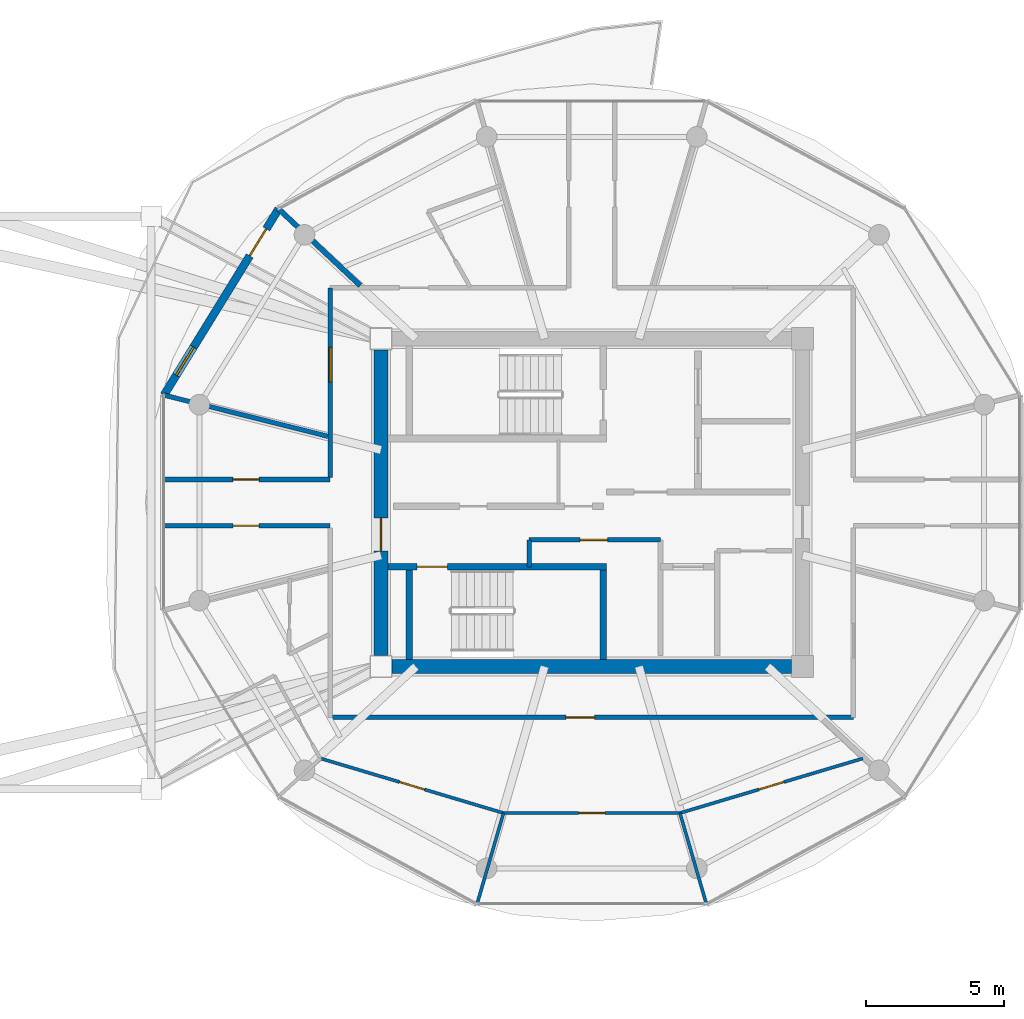
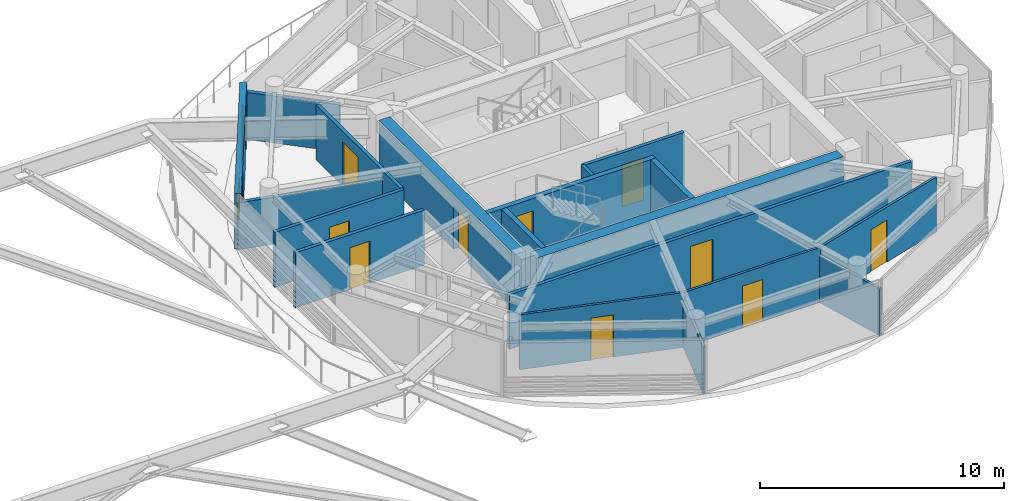
# One storey, part 16 of 23: 19 walls, 11 doors, 1 window, 12 openings.
"""IFC4 building model written with IfcOpenShell, lengths in metres."""

from ifc_helpers import new_model, si_unit, direction, frame, frame_2d, origin, place, context, subcontext, project, spatial, rectangle, extrude, source, transform, mapped, material, layer, layer_set, type_object, type_shapes, element, fill, save


model = new_model("IFC4")

# Units and contexts
model_context = context("Model", 3, precision=1e-05, world=origin(), true_north=direction((0.0, 1.0)))
body_context = subcontext(model_context, "Body", "Model", "MODEL_VIEW")
ifc_project = project(units=[si_unit("LENGTHUNIT", "METRE"), si_unit("AREAUNIT", "SQUARE_METRE"), si_unit("VOLUMEUNIT", "CUBIC_METRE"), si_unit("PLANEANGLEUNIT", "RADIAN"), si_unit("MASSUNIT", "GRAM", prefix="KILO")], contexts=[model_context])

# Site, building, storey
site_placement = place(None, origin())
site = spatial("IfcSite", under=ifc_project, at=site_placement, CompositionType="ELEMENT")
building_placement = place(site_placement, origin())
building = spatial("IfcBuilding", under=site, at=building_placement, Name="Norrkilde Senior Care Towers", CompositionType="ELEMENT")
storey_placement = place(building_placement, frame((0.0, 0.0, 196.75)))
storey = spatial("IfcBuildingStorey", under=building, at=storey_placement, Name="L61", CompositionType="ELEMENT", Elevation=196.75)

# Wall
ifc_material_1 = material(Name="Concrete C50/60", Category="concrete")
ifc_layer_1 = layer(ifc_material_1, 0.52001953125)
ifc_layer_set_1 = layer_set([ifc_layer_1], Name="Concrete C50/60")
wall_type_1 = type_object("IfcWallType", Name="Core Shear Wall Z4 520", PredefinedType="SHEAR", material=ifc_layer_set_1)
shared_shape_1 = source(origin(), body_context, "Body", "SweptSolid", [
    extrude(rectangle(XDim=14.5, YDim=0.52001953125, at=frame_2d((7.25, 0.0))), origin(), (0.0, 0.0, 1.0), 2.760009765625),
])
wall_1_placement = place(storey_placement, frame((35.25, -5.949951171875, 0.0), z_axis=(0.0, 0.0, 1.0), x_axis=(-1.0, 0.0, 0.0)))
element("IfcWall", 1, at=wall_1_placement, inside=storey, type_object=wall_type_1, Name="L61 Core E South Shear Wall", PredefinedType="SHEAR", context=body_context, shape_type="MappedRepresentation", body=[
    mapped(shared_shape_1, transform((0.0, 0.0, 0.0), x_axis=(1.0, 0.0, 0.0), y_axis=(0.0, 1.0, 0.0), z_axis=(0.0, 0.0, 1.0), scale=1.0)),
])

# Wall, opening, door
shared_shape_2 = source(origin(), body_context, "Body", "SweptSolid", [
    extrude(rectangle(XDim=11.10009765625, YDim=0.52001953125, at=frame_2d((5.550048828125, 0.0))), origin(), (0.0, 0.0, 1.0), 2.760009765625),
])
type_shapes(wall_type_1, [shared_shape_1, shared_shape_2])
wall_2_placement = place(storey_placement, frame((20.35009765625, -5.550048828125, 0.0), z_axis=(0.0, 0.0, 1.0), x_axis=(0.0, 1.0, 0.0)))
wall_2 = element("IfcWall", 2, at=wall_2_placement, inside=storey, type_object=wall_type_1, Name="L61 Core E West Shear Wall", PredefinedType="SHEAR", context=body_context, shape_type="MappedRepresentation", body=[
    mapped(shared_shape_2, transform((0.0, 0.0, 0.0), x_axis=(1.0, 0.0, 0.0), y_axis=(0.0, 1.0, 0.0), z_axis=(0.0, 0.0, 1.0), scale=1.0)),
])
opening_1_placement = place(wall_2_placement, frame((3.800048828125, 0.0, 0.0)))
opening_1 = element("IfcOpeningElement", 3, at=opening_1_placement, cuts=wall_2, Name="Opening D-04", PredefinedType="OPENING", context=body_context, shape_type="SweptSolid", body=[
    extrude(rectangle(XDim=1.199951171875, YDim=2.14990234375, at=frame_2d((0.60009765625, 1.074951171875))), frame((0.0, 0.27001953125, 0.0), z_axis=(0.0, -1.0, 0.0), x_axis=(1.0, 0.0, 0.0)), (0.0, 0.0, 1.0), 0.5400390625),
])
ifc_material_2 = material(Name="Galvanised Painted Steel", Category="steel")
door_type_1 = type_object("IfcDoorType", Name="Firefighting Lobby Fire Door 1200x2150", OperationType="NOTDEFINED", PredefinedType="DOOR", material=ifc_material_2)
shared_shape_3 = source(origin(), body_context, "Body", "SweptSolid", [
    extrude(rectangle(XDim=1.199951171875, YDim=2.14990234375, at=frame_2d((0.60009765625, 1.074951171875))), frame((0.0, 0.02490234375, 0.0), z_axis=(0.0, -1.0, 0.0), x_axis=(1.0, 0.0, 0.0)), (0.0, 0.0, 1.0), 0.050048828125),
])
type_shapes(door_type_1, [shared_shape_3])
door_1_placement = place(opening_1_placement, frame((1.199951171875, 0.0, 0.0), z_axis=(0.0, 0.0, 1.0), x_axis=(-1.0, 0.0, 0.0)))
door_1 = element("IfcDoor", 4, at=door_1_placement, inside=storey, type_object=door_type_1, Name="L61 Core E West Portal Door", OperationType="SINGLE_SWING_LEFT", OverallHeight=2.14990234375, OverallWidth=1.199951171875, PredefinedType="DOOR", context=body_context, shape_type="MappedRepresentation", body=[
    mapped(shared_shape_3, transform((0.0, 0.0, 0.0), x_axis=(1.0, 0.0, 0.0), y_axis=(0.0, 1.0, 0.0), z_axis=(0.0, 0.0, 1.0), scale=1.0)),
])
fill(opening_1, door_1)

# Wall, openings, door, window
ifc_material_3 = material(Name="Precast concrete C45/55", Category="concrete")
ifc_layer_2 = layer(ifc_material_3, 0.2900390625)
ifc_layer_set_2 = layer_set([ifc_layer_2], Name="Precast concrete C45/55")
wall_type_2 = type_object("IfcWallType", Name="Winter Garden Facade Wall 290", PredefinedType="SOLIDWALL", material=ifc_layer_set_2)
shared_shape_4 = source(origin(), body_context, "Body", "SweptSolid", [
    extrude(rectangle(XDim=7.938232421875, YDim=0.2900390625, at=frame_2d((3.96923828125, 0.0))), origin(), (0.0, 0.0, 1.0), 2.760009765625),
])
type_shapes(wall_type_2, [shared_shape_4])
wall_3_placement = place(storey_placement, frame((12.468017578125, 3.903076171875, 0.0), z_axis=(0.0, 0.0, 1.0), x_axis=(0.524244987663, 0.851567491694, 0.0)))
wall_3 = element("IfcWall", 5, at=wall_3_placement, inside=storey, type_object=wall_type_2, Name="L61 Drum E Balcony Access Wall 04", PredefinedType="SOLIDWALL", context=body_context, shape_type="MappedRepresentation", body=[
    mapped(shared_shape_4, transform((0.0, 0.0, 0.0), x_axis=(1.0, 0.0, 0.0), y_axis=(0.0, 1.0, 0.0), z_axis=(0.0, 0.0, 1.0), scale=1.0)),
])
opening_2_placement = place(wall_3_placement, frame((5.93994140625, 0.0, 0.0)))
opening_2 = element("IfcOpeningElement", 6, at=opening_2_placement, cuts=wall_3, Name="Opening D-09", PredefinedType="OPENING", context=body_context, shape_type="SweptSolid", body=[
    extrude(rectangle(XDim=1.14990234375, YDim=2.25, at=frame_2d((0.574951171875, 1.125))), frame((0.0, 0.155029296875, 0.0), z_axis=(0.0, -1.0, 0.0), x_axis=(1.0, 0.0, 0.0)), (0.0, 0.0, 1.0), 0.31005859375),
])
opening_3_placement = place(wall_3_placement, frame((0.85009765625, 0.0, 0.85009765625)))
opening_3 = element("IfcOpeningElement", 7, at=opening_3_placement, cuts=wall_3, Name="Opening WN-07", PredefinedType="OPENING", context=body_context, shape_type="SweptSolid", body=[
    extrude(rectangle(XDim=1.199951171875, YDim=1.5, at=frame_2d((0.60009765625, 0.75))), frame((0.0, 0.155029296875, 0.0), z_axis=(0.0, -1.0, 0.0), x_axis=(1.0, 0.0, 0.0)), (0.0, 0.0, 1.0), 0.31005859375),
])
ifc_material_4 = material(Name="Anodised Aluminium", Category="aluminium")
door_type_2 = type_object("IfcDoorType", Name="Terrace and Balcony Glazed Door 1150x2250", OperationType="NOTDEFINED", PredefinedType="DOOR", material=ifc_material_4)
shared_shape_5 = source(origin(), body_context, "Body", "SweptSolid", [
    extrude(rectangle(XDim=1.14990234375, YDim=2.25, at=frame_2d((0.574951171875, 1.125))), frame((0.0, 0.02490234375, 0.0), z_axis=(0.0, -1.0, 0.0), x_axis=(1.0, 0.0, 0.0)), (0.0, 0.0, 1.0), 0.050048828125),
])
type_shapes(door_type_2, [shared_shape_5])
door_2_placement = place(opening_2_placement, origin())
door_2 = element("IfcDoor", 8, at=door_2_placement, inside=storey, type_object=door_type_2, Name="L61 Drum E Outdoor Terrace Door 04", OperationType="SINGLE_SWING_LEFT", OverallHeight=2.25, OverallWidth=1.14990234375, PredefinedType="DOOR", context=body_context, shape_type="MappedRepresentation", body=[
    mapped(shared_shape_5, transform((0.0, 0.0, 0.0), x_axis=(1.0, 0.0, 0.0), y_axis=(0.0, 1.0, 0.0), z_axis=(0.0, 0.0, 1.0), scale=1.0)),
])
fill(opening_2, door_2)
ifc_material_5 = material(Name="Triple Low-E Insulated Glazing", Category="glass")
window_type = type_object("IfcWindowType", Name="Stairwell Smoke Vent Window 1200x1500", PartitioningType="SINGLE_PANEL", PredefinedType="WINDOW", material=ifc_material_5)
shared_shape_6 = source(origin(), body_context, "Body", "SweptSolid", [
    extrude(rectangle(XDim=1.199951171875, YDim=1.5, at=frame_2d((0.60009765625, 0.75))), frame((0.0, 0.030029296875, 0.0), z_axis=(0.0, -1.0, 0.0), x_axis=(1.0, 0.0, 0.0)), (0.0, 0.0, 1.0), 0.06005859375),
])
type_shapes(window_type, [shared_shape_6])
window_placement = place(opening_3_placement, origin())
window = element("IfcWindow", 9, at=window_placement, inside=storey, type_object=window_type, Name="L61 Drum E Winter Garden Window 04", OverallHeight=1.5, OverallWidth=1.199951171875, PartitioningType="SINGLE_PANEL", PredefinedType="WINDOW", context=body_context, shape_type="MappedRepresentation", body=[
    mapped(shared_shape_6, transform((0.0, 0.0, 0.0), x_axis=(1.0, 0.0, 0.0), y_axis=(0.0, 1.0, 0.0), z_axis=(0.0, 0.0, 1.0), scale=1.0)),
])
fill(opening_3, window)

# Wall, opening, door
ifc_material_6 = material(Name="Concrete C45/55", Category="concrete")
ifc_layer_3 = layer(ifc_material_6, 0.239990234375)
ifc_layer_set_3 = layer_set([ifc_layer_3], Name="Concrete C45/55")
wall_type_3 = type_object("IfcWallType", Name="Shaft and Stair Enclosure Wall 240", PredefinedType="PARTITIONING", material=ifc_layer_set_3)
shared_shape_7 = source(origin(), body_context, "Body", "SweptSolid", [
    extrude(rectangle(XDim=7.929931640625, YDim=0.239990234375, at=frame_2d((3.96484375, 0.0))), origin(), (0.0, 0.0, 1.0), 2.760009765625),
])
wall_4_placement = place(storey_placement, frame((20.610107421875, -2.330078125, 0.0), z_axis=(0.0, 0.0, 1.0), x_axis=(1.0, 0.0, 0.0)))
wall_4 = element("IfcWall", 10, at=wall_4_placement, inside=storey, type_object=wall_type_3, Name="WL-INT-L61-E-ST2N", PredefinedType="PARTITIONING", context=body_context, shape_type="MappedRepresentation", body=[
    mapped(shared_shape_7, transform((0.0, 0.0, 0.0), x_axis=(1.0, 0.0, 0.0), y_axis=(0.0, 1.0, 0.0), z_axis=(0.0, 0.0, 1.0), scale=1.0)),
])
opening_4_placement = place(wall_4_placement, frame((1.050048828125, 0.0, 0.0)))
opening_4 = element("IfcOpeningElement", 11, at=opening_4_placement, cuts=wall_4, Name="Opening D-03", PredefinedType="OPENING", context=body_context, shape_type="SweptSolid", body=[
    extrude(rectangle(XDim=1.10009765625, YDim=2.14990234375, at=frame_2d((0.550048828125, 1.074951171875))), frame((0.0, 0.1298828125, 0.0), z_axis=(0.0, -1.0, 0.0), x_axis=(1.0, 0.0, 0.0)), (0.0, 0.0, 1.0), 0.260009765625),
])
door_type_3 = type_object("IfcDoorType", Name="Stairwell Protected Fire Door 1100x2150", OperationType="NOTDEFINED", PredefinedType="DOOR", material=ifc_material_2)
shared_shape_8 = source(origin(), body_context, "Body", "SweptSolid", [
    extrude(rectangle(XDim=1.10009765625, YDim=2.14990234375, at=frame_2d((0.550048828125, 1.074951171875))), frame((0.0, 0.02490234375, 0.0), z_axis=(0.0, -1.0, 0.0), x_axis=(1.0, 0.0, 0.0)), (0.0, 0.0, 1.0), 0.050048828125),
])
type_shapes(door_type_3, [shared_shape_8])
door_3_placement = place(opening_4_placement, frame((1.10009765625, 0.0, 0.0), z_axis=(0.0, 0.0, 1.0), x_axis=(-1.0, 0.0, 0.0)))
door_3 = element("IfcDoor", 12, at=door_3_placement, inside=storey, type_object=door_type_3, Name="L61 Stair E2 Fire Door", OperationType="SINGLE_SWING_RIGHT", OverallHeight=2.14990234375, OverallWidth=1.10009765625, PredefinedType="DOOR", context=body_context, shape_type="MappedRepresentation", body=[
    mapped(shared_shape_8, transform((0.0, 0.0, 0.0), x_axis=(1.0, 0.0, 0.0), y_axis=(0.0, 1.0, 0.0), z_axis=(0.0, 0.0, 1.0), scale=1.0)),
])
fill(opening_4, door_3)

# Walls
shared_shape_9 = source(origin(), body_context, "Body", "SweptSolid", [
    extrude(rectangle(XDim=3.239990234375, YDim=0.239990234375, at=frame_2d((1.6201171875, 0.0))), origin(), (0.0, 0.0, 1.0), 2.760009765625),
])
type_shapes(wall_type_3, [shared_shape_7, shared_shape_9])
for number, where, z_axis, x_axis, name in (
    (13, (21.3798828125, -5.68994140625, 0.0), (0.0, 0.0, 1.0), (0.0, 1.0, 0.0), "WL-INT-L61-E-ST2W"),
    (14, (28.419921875, -5.68994140625, 0.0), (0.0, 0.0, 1.0), (0.0, 1.0, 0.0), "WL-INT-L61-E-ST2E"),
):
    element("IfcWall", number, at=place(storey_placement, frame(where, z_axis=z_axis, x_axis=x_axis)), inside=storey, type_object=wall_type_3, Name=name, PredefinedType="PARTITIONING", context=body_context, shape_type="MappedRepresentation", body=[
        mapped(shared_shape_9, transform((0.0, 0.0, 0.0), x_axis=(1.0, 0.0, 0.0), y_axis=(0.0, 1.0, 0.0), z_axis=(0.0, 0.0, 1.0), scale=1.0)),
    ])

# Wall, opening, door
ifc_material_7 = material(Name="Gypsum Acoustic Board")
ifc_layer_4 = layer(ifc_material_7, 0.1650390625)
ifc_layer_set_4 = layer_set([ifc_layer_4], Name="Gypsum Acoustic Board")
wall_type_4 = type_object("IfcWallType", Name="Corridor Rated Partition 165", PredefinedType="PARTITIONING", material=ifc_layer_set_4)
shared_shape_10 = source(origin(), body_context, "Body", "SweptSolid", [
    extrude(rectangle(XDim=4.77001953125, YDim=0.1650390625, at=frame_2d((2.385009765625, 0.0))), origin(), (0.0, 0.0, 1.0), 2.7451171875),
])
wall_5_placement = place(storey_placement, frame((25.72998046875, -1.35009765625, 0.0), z_axis=(0.0, 0.0, 1.0), x_axis=(1.0, 0.0, 0.0)))
wall_5 = element("IfcWall", 15, at=wall_5_placement, inside=storey, type_object=wall_type_4, Name="WL-INT-L61-E-FR2N", PredefinedType="PARTITIONING", context=body_context, shape_type="MappedRepresentation", body=[
    mapped(shared_shape_10, transform((0.0, 0.0, 0.0), x_axis=(1.0, 0.0, 0.0), y_axis=(0.0, 1.0, 0.0), z_axis=(0.0, 0.0, 1.0), scale=1.0)),
])
opening_5_placement = place(wall_5_placement, frame((1.85009765625, 0.0, 0.0)))
opening_5 = element("IfcOpeningElement", 16, at=opening_5_placement, cuts=wall_5, Name="Opening D-10", PredefinedType="OPENING", context=body_context, shape_type="SweptSolid", body=[
    extrude(rectangle(XDim=1.0, YDim=2.10009765625, at=frame_2d((0.5, 1.050048828125))), frame((0.0, 0.092529296875, 0.0), z_axis=(0.0, -1.0, 0.0), x_axis=(1.0, 0.0, 0.0)), (0.0, 0.0, 1.0), 0.18505859375),
])
door_type_4 = type_object("IfcDoorType", Name="Plant and Riser Rated Door 1000x2100", OperationType="NOTDEFINED", PredefinedType="DOOR", material=ifc_material_2)
shared_shape_11 = source(origin(), body_context, "Body", "SweptSolid", [
    extrude(rectangle(XDim=1.0, YDim=2.10009765625, at=frame_2d((0.5, 1.050048828125))), frame((0.0, 0.02490234375, 0.0), z_axis=(0.0, -1.0, 0.0), x_axis=(1.0, 0.0, 0.0)), (0.0, 0.0, 1.0), 0.050048828125),
])
type_shapes(door_type_4, [shared_shape_11])
door_4_placement = place(opening_5_placement, origin())
door_4 = element("IfcDoor", 17, at=door_4_placement, inside=storey, type_object=door_type_4, Name="L61 Core Pantry E Door", OperationType="SINGLE_SWING_RIGHT", OverallHeight=2.10009765625, OverallWidth=1.0, PredefinedType="DOOR", context=body_context, shape_type="MappedRepresentation", body=[
    mapped(shared_shape_11, transform((0.0, 0.0, 0.0), x_axis=(1.0, 0.0, 0.0), y_axis=(0.0, 1.0, 0.0), z_axis=(0.0, 0.0, 1.0), scale=1.0)),
])
fill(opening_5, door_4)

# Wall
shared_shape_12 = source(origin(), body_context, "Body", "SweptSolid", [
    extrude(rectangle(XDim=0.97998046875, YDim=0.1650390625, at=frame_2d((0.489990234375, 0.0))), origin(), (0.0, 0.0, 1.0), 2.7451171875),
])
wall_6_placement = place(storey_placement, frame((25.72998046875, -2.330078125, 0.0), z_axis=(0.0, 0.0, 1.0), x_axis=(0.0, 1.0, 0.0)))
element("IfcWall", 18, at=wall_6_placement, inside=storey, type_object=wall_type_4, Name="WL-INT-L61-E-FR2W", PredefinedType="PARTITIONING", context=body_context, shape_type="MappedRepresentation", body=[
    mapped(shared_shape_12, transform((0.0, 0.0, 0.0), x_axis=(1.0, 0.0, 0.0), y_axis=(0.0, 1.0, 0.0), z_axis=(0.0, 0.0, 1.0), scale=1.0)),
])

# Wall, opening, door
shared_shape_13 = source(origin(), body_context, "Body", "SweptSolid", [
    extrude(rectangle(XDim=19.0, YDim=0.1650390625, at=frame_2d((9.5, 0.0))), origin(), (0.0, 0.0, 1.0), 2.7451171875),
])
wall_7_placement = place(storey_placement, frame((37.5, -7.800048828125, 0.0), z_axis=(0.0, 0.0, 1.0), x_axis=(-1.0, 0.0, 0.0)))
wall_7 = element("IfcWall", 19, at=wall_7_placement, inside=storey, type_object=wall_type_4, Name="WL-INT-L61-E-CRW-S-0", PredefinedType="PARTITIONING", context=body_context, shape_type="MappedRepresentation", body=[
    mapped(shared_shape_13, transform((0.0, 0.0, 0.0), x_axis=(1.0, 0.0, 0.0), y_axis=(0.0, 1.0, 0.0), z_axis=(0.0, 0.0, 1.0), scale=1.0)),
])
opening_6_placement = place(wall_7_placement, frame((9.39208984375, 0.0, 0.0)))
opening_6 = element("IfcOpeningElement", 20, at=opening_6_placement, cuts=wall_7, Name="Opening D-06", PredefinedType="OPENING", context=body_context, shape_type="SweptSolid", body=[
    extrude(rectangle(XDim=1.050048828125, YDim=2.14990234375, at=frame_2d((0.52490234375, 1.074951171875))), frame((0.0, 0.092529296875, 0.0), z_axis=(0.0, -1.0, 0.0), x_axis=(1.0, 0.0, 0.0)), (0.0, 0.0, 1.0), 0.18505859375),
])
ifc_material_8 = material(Name="Nordic Ash Timber", Category="wood")
door_type_5 = type_object("IfcDoorType", Name="Apartment Entrance Fire Door 1050x2150", OperationType="NOTDEFINED", PredefinedType="DOOR", material=ifc_material_8)
shared_shape_14 = source(origin(), body_context, "Body", "SweptSolid", [
    extrude(rectangle(XDim=1.050048828125, YDim=2.14990234375, at=frame_2d((0.52490234375, 1.074951171875))), frame((0.0, 0.02490234375, 0.0), z_axis=(0.0, -1.0, 0.0), x_axis=(1.0, 0.0, 0.0)), (0.0, 0.0, 1.0), 0.050048828125),
])
type_shapes(door_type_5, [shared_shape_14])
door_5_placement = place(opening_6_placement, frame((1.050048828125, 0.0, 0.0), z_axis=(0.0, 0.0, 1.0), x_axis=(-1.0, 0.0, 0.0)))
door_5 = element("IfcDoor", 21, at=door_5_placement, inside=storey, type_object=door_type_5, Name="Apartment 61D Entrance Door", OperationType="SINGLE_SWING_LEFT", OverallHeight=2.14990234375, OverallWidth=1.050048828125, PredefinedType="DOOR", context=body_context, shape_type="MappedRepresentation", body=[
    mapped(shared_shape_14, transform((0.0, 0.0, 0.0), x_axis=(1.0, 0.0, 0.0), y_axis=(0.0, 1.0, 0.0), z_axis=(0.0, 0.0, 1.0), scale=1.0)),
])
fill(opening_6, door_5)

shared_shape_15 = source(origin(), body_context, "Body", "SweptSolid", [
    extrude(rectangle(XDim=6.880126953125, YDim=0.1650390625, at=frame_2d((3.43994140625, 0.0))), origin(), (0.0, 0.0, 1.0), 2.7451171875),
])
wall_8_placement = place(storey_placement, frame((18.5, 0.919921875, 0.0), z_axis=(0.0, 0.0, 1.0), x_axis=(0.0, 1.0, 0.0)))
wall_8 = element("IfcWall", 22, at=wall_8_placement, inside=storey, type_object=wall_type_4, Name="WL-INT-L61-E-CRW-W-1", PredefinedType="PARTITIONING", context=body_context, shape_type="MappedRepresentation", body=[
    mapped(shared_shape_15, transform((0.0, 0.0, 0.0), x_axis=(1.0, 0.0, 0.0), y_axis=(0.0, 1.0, 0.0), z_axis=(0.0, 0.0, 1.0), scale=1.0)),
])
opening_7_placement = place(wall_8_placement, frame((3.46435546875, 0.0, 0.0)))
opening_7 = element("IfcOpeningElement", 23, at=opening_7_placement, cuts=wall_8, Name="Opening D-05", PredefinedType="OPENING", context=body_context, shape_type="SweptSolid", body=[
    extrude(rectangle(XDim=1.25, YDim=2.199951171875, at=frame_2d((0.625, 1.10009765625))), frame((0.0, 0.092529296875, 0.0), z_axis=(0.0, -1.0, 0.0), x_axis=(1.0, 0.0, 0.0)), (0.0, 0.0, 1.0), 0.18505859375),
])
door_type_6 = type_object("IfcDoorType", Name="Care Bedroom Bariatric Door 1250x2200", OperationType="NOTDEFINED", PredefinedType="DOOR", material=ifc_material_8)
shared_shape_16 = source(origin(), body_context, "Body", "SweptSolid", [
    extrude(rectangle(XDim=1.25, YDim=2.199951171875, at=frame_2d((0.625, 1.10009765625))), frame((0.0, 0.02490234375, 0.0), z_axis=(0.0, -1.0, 0.0), x_axis=(1.0, 0.0, 0.0)), (0.0, 0.0, 1.0), 0.050048828125),
])
type_shapes(door_type_6, [shared_shape_16])
door_6_placement = place(opening_7_placement, frame((1.25, 0.0, 0.0), z_axis=(0.0, 0.0, 1.0), x_axis=(-1.0, 0.0, 0.0)))
door_6 = element("IfcDoor", 24, at=door_6_placement, inside=storey, type_object=door_type_6, Name="L61 Senior Wellness Library Lounge Door", OperationType="SINGLE_SWING_LEFT", OverallHeight=2.199951171875, OverallWidth=1.25, PredefinedType="DOOR", context=body_context, shape_type="MappedRepresentation", body=[
    mapped(shared_shape_16, transform((0.0, 0.0, 0.0), x_axis=(1.0, 0.0, 0.0), y_axis=(0.0, 1.0, 0.0), z_axis=(0.0, 0.0, 1.0), scale=1.0)),
])
fill(opening_7, door_6)

# Wall
shared_shape_17 = source(origin(), body_context, "Body", "SweptSolid", [
    extrude(rectangle(XDim=6.1572265625, YDim=0.1650390625, at=frame_2d((3.07861328125, 0.0))), origin(), (0.0, 0.0, 1.0), 2.344970703125),
])
wall_9_placement = place(storey_placement, frame((18.419921875, 2.407470703125, 0.0), z_axis=(0.0, 0.0, 1.0), x_axis=(-0.969840867184, 0.243738984038, 0.0)))
element("IfcWall", 25, at=wall_9_placement, inside=storey, type_object=wall_type_4, Name="WL-INT-L61-E-DEM-05-0", PredefinedType="PARTITIONING", context=body_context, shape_type="MappedRepresentation", body=[
    mapped(shared_shape_17, transform((0.0, 0.0, 0.0), x_axis=(1.0, 0.0, 0.0), y_axis=(0.0, 1.0, 0.0), z_axis=(0.0, 0.0, 1.0), scale=1.0)),
])

# Wall, opening, door
shared_shape_18 = source(origin(), body_context, "Body", "SweptSolid", [
    extrude(rectangle(XDim=6.101318359375, YDim=0.1650390625, at=frame_2d((3.05078125, 0.0))), origin(), (0.0, 0.0, 1.0), 2.7451171875),
])
type_shapes(wall_type_4, [shared_shape_10, shared_shape_12, shared_shape_13, shared_shape_15, shared_shape_17, shared_shape_18])
wall_10_placement = place(storey_placement, frame((12.398681640625, 0.840087890625, 0.0), z_axis=(0.0, 0.0, 1.0), x_axis=(1.0, 0.0, 0.0)))
wall_10 = element("IfcWall", 26, at=wall_10_placement, inside=storey, type_object=wall_type_4, Name="WL-INT-L61-E-SPK-W1-0", PredefinedType="PARTITIONING", context=body_context, shape_type="MappedRepresentation", body=[
    mapped(shared_shape_18, transform((0.0, 0.0, 0.0), x_axis=(1.0, 0.0, 0.0), y_axis=(0.0, 1.0, 0.0), z_axis=(0.0, 0.0, 1.0), scale=1.0)),
])
opening_8_placement = place(wall_10_placement, frame((2.57568359375, 0.0, 0.0)))
opening_8 = element("IfcOpeningElement", 27, at=opening_8_placement, cuts=wall_10, Name="Opening D-07", PredefinedType="OPENING", context=body_context, shape_type="SweptSolid", body=[
    extrude(rectangle(XDim=0.949951171875, YDim=2.10009765625, at=frame_2d((0.47509765625, 1.050048828125))), frame((0.0, 0.092529296875, 0.0), z_axis=(0.0, -1.0, 0.0), x_axis=(1.0, 0.0, 0.0)), (0.0, 0.0, 1.0), 0.18505859375),
])
door_type_7 = type_object("IfcDoorType", Name="Internal Suite Bedroom Door 950x2100", OperationType="NOTDEFINED", PredefinedType="DOOR", material=ifc_material_8)
shared_shape_19 = source(origin(), body_context, "Body", "SweptSolid", [
    extrude(rectangle(XDim=0.949951171875, YDim=2.10009765625, at=frame_2d((0.47509765625, 1.050048828125))), frame((0.0, 0.02490234375, 0.0), z_axis=(0.0, -1.0, 0.0), x_axis=(1.0, 0.0, 0.0)), (0.0, 0.0, 1.0), 0.050048828125),
])
type_shapes(door_type_7, [shared_shape_19])
door_7_placement = place(opening_8_placement, frame((0.949951171875, 0.0, 0.0), z_axis=(0.0, 0.0, 1.0), x_axis=(-1.0, 0.0, 0.0)))
door_7 = element("IfcDoor", 28, at=door_7_placement, inside=storey, type_object=door_type_7, Name="L61 Sun Reading Lounge 2 Door", OperationType="SINGLE_SWING_LEFT", OverallHeight=2.10009765625, OverallWidth=0.949951171875, PredefinedType="DOOR", context=body_context, shape_type="MappedRepresentation", body=[
    mapped(shared_shape_19, transform((0.0, 0.0, 0.0), x_axis=(1.0, 0.0, 0.0), y_axis=(0.0, 1.0, 0.0), z_axis=(0.0, 0.0, 1.0), scale=1.0)),
])
fill(opening_8, door_7)

wall_11_placement = place(storey_placement, frame((18.5, -0.840087890625, 0.0), z_axis=(0.0, 0.0, 1.0), x_axis=(-1.0, 0.0, 0.0)))
wall_11 = element("IfcWall", 29, at=wall_11_placement, inside=storey, type_object=wall_type_4, Name="WL-INT-L61-E-SPK-W2-0", PredefinedType="PARTITIONING", context=body_context, shape_type="MappedRepresentation", body=[
    mapped(shared_shape_18, transform((0.0, 0.0, 0.0), x_axis=(1.0, 0.0, 0.0), y_axis=(0.0, 1.0, 0.0), z_axis=(0.0, 0.0, 1.0), scale=1.0)),
])
opening_9_placement = place(wall_11_placement, frame((2.57568359375, 0.0, 0.0)))
opening_9 = element("IfcOpeningElement", 30, at=opening_9_placement, cuts=wall_11, Name="Opening D-07", PredefinedType="OPENING", context=body_context, shape_type="SweptSolid", body=[
    extrude(rectangle(XDim=0.949951171875, YDim=2.10009765625, at=frame_2d((0.47509765625, 1.050048828125))), frame((0.0, 0.092529296875, 0.0), z_axis=(0.0, -1.0, 0.0), x_axis=(1.0, 0.0, 0.0)), (0.0, 0.0, 1.0), 0.18505859375),
])
door_8_placement = place(opening_9_placement, frame((0.949951171875, 0.0, 0.0), z_axis=(0.0, 0.0, 1.0), x_axis=(-1.0, 0.0, 0.0)))
door_8 = element("IfcDoor", 31, at=door_8_placement, inside=storey, type_object=door_type_7, Name="L61 Sun Reading Lounge 1 Door", OperationType="SINGLE_SWING_RIGHT", OverallHeight=2.10009765625, OverallWidth=0.949951171875, PredefinedType="DOOR", context=body_context, shape_type="MappedRepresentation", body=[
    mapped(shared_shape_19, transform((0.0, 0.0, 0.0), x_axis=(1.0, 0.0, 0.0), y_axis=(0.0, 1.0, 0.0), z_axis=(0.0, 0.0, 1.0), scale=1.0)),
])
fill(opening_9, door_8)

# Wall
ifc_layer_5 = layer(ifc_material_7, 0.18994140625)
ifc_layer_set_5 = layer_set([ifc_layer_5], Name="Gypsum Acoustic Board")
wall_type_5 = type_object("IfcWallType", Name="Unit Demising Acoustic Wall 190", PredefinedType="PARTITIONING", material=ifc_layer_set_5)
shared_shape_20 = source(origin(), body_context, "Body", "SweptSolid", [
    extrude(rectangle(XDim=4.089111328125, YDim=0.18994140625, at=frame_2d((2.04443359375, 0.0))), origin(), (0.0, 0.0, 1.0), 2.344970703125),
])
type_shapes(wall_type_5, [shared_shape_20])
wall_12_placement = place(storey_placement, frame((19.59814453125, 7.8798828125, 0.0), z_axis=(0.0, 0.0, 1.0), x_axis=(-0.729401273609, 0.684086092577, 0.0)))
element("IfcWall", 32, at=wall_12_placement, inside=storey, type_object=wall_type_5, Name="WL-INT-L61-E-DEM-04-0", PredefinedType="PARTITIONING", context=body_context, shape_type="MappedRepresentation", body=[
    mapped(shared_shape_20, transform((0.0, 0.0, 0.0), x_axis=(1.0, 0.0, 0.0), y_axis=(0.0, 1.0, 0.0), z_axis=(0.0, 0.0, 1.0), scale=1.0)),
])

# Wall, opening, door
ifc_layer_6 = layer(ifc_material_7, 0.114990234375)
ifc_layer_set_6 = layer_set([ifc_layer_6], Name="Gypsum Acoustic Board")
wall_type_6 = type_object("IfcWallType", Name="Internal Room Partition 115", PredefinedType="PARTITIONING", material=ifc_layer_set_6)
shared_shape_21 = source(origin(), body_context, "Body", "SweptSolid", [
    extrude(rectangle(XDim=6.935791015625, YDim=0.114990234375, at=frame_2d((3.4677734375, 0.0))), origin(), (0.0, 0.0, 1.0), 2.7451171875),
])
wall_13_placement = place(storey_placement, frame((18.1513671875, -9.287109375, 0.0), z_axis=(0.0, 0.0, 1.0), x_axis=(0.958186895835, -0.286143098205, 0.0)))
wall_13 = element("IfcWall", 33, at=wall_13_placement, inside=storey, type_object=wall_type_6, Name="WL-INT-L61-E-UBC-06-1", PredefinedType="PARTITIONING", context=body_context, shape_type="MappedRepresentation", body=[
    mapped(shared_shape_21, transform((0.0, 0.0, 0.0), x_axis=(1.0, 0.0, 0.0), y_axis=(0.0, 1.0, 0.0), z_axis=(0.0, 0.0, 1.0), scale=1.0)),
])
opening_10_placement = place(wall_13_placement, frame((2.992919921875, 0.0, 0.0)))
opening_10 = element("IfcOpeningElement", 34, at=opening_10_placement, cuts=wall_13, Name="Opening D-07", PredefinedType="OPENING", context=body_context, shape_type="SweptSolid", body=[
    extrude(rectangle(XDim=0.949951171875, YDim=2.10009765625, at=frame_2d((0.47509765625, 1.050048828125))), frame((0.0, 0.0673828125, 0.0), z_axis=(0.0, -1.0, 0.0), x_axis=(1.0, 0.0, 0.0)), (0.0, 0.0, 1.0), 0.135009765625),
])
door_9_placement = place(opening_10_placement, origin())
door_9 = element("IfcDoor", 35, at=door_9_placement, inside=storey, type_object=door_type_7, Name="Apartment 61D Bedroom 1 Door", OperationType="SINGLE_SWING_RIGHT", OverallHeight=2.10009765625, OverallWidth=0.949951171875, PredefinedType="DOOR", context=body_context, shape_type="MappedRepresentation", body=[
    mapped(shared_shape_19, transform((0.0, 0.0, 0.0), x_axis=(1.0, 0.0, 0.0), y_axis=(0.0, 1.0, 0.0), z_axis=(0.0, 0.0, 1.0), scale=1.0)),
])
fill(opening_10, door_9)

wall_14_placement = place(storey_placement, frame((31.202880859375, -11.271728515625, 0.0), z_axis=(0.0, 0.0, 1.0), x_axis=(0.958186895835, 0.286143098205, 0.0)))
wall_14 = element("IfcWall", 36, at=wall_14_placement, inside=storey, type_object=wall_type_6, Name="WL-INT-L61-E-UBC-06-3", PredefinedType="PARTITIONING", context=body_context, shape_type="MappedRepresentation", body=[
    mapped(shared_shape_21, transform((0.0, 0.0, 0.0), x_axis=(1.0, 0.0, 0.0), y_axis=(0.0, 1.0, 0.0), z_axis=(0.0, 0.0, 1.0), scale=1.0)),
])
opening_11_placement = place(wall_14_placement, frame((2.992919921875, 0.0, 0.0)))
opening_11 = element("IfcOpeningElement", 37, at=opening_11_placement, cuts=wall_14, Name="Opening D-07", PredefinedType="OPENING", context=body_context, shape_type="SweptSolid", body=[
    extrude(rectangle(XDim=0.949951171875, YDim=2.10009765625, at=frame_2d((0.47509765625, 1.050048828125))), frame((0.0, 0.0673828125, 0.0), z_axis=(0.0, -1.0, 0.0), x_axis=(1.0, 0.0, 0.0)), (0.0, 0.0, 1.0), 0.135009765625),
])
door_10_placement = place(opening_11_placement, origin())
door_10 = element("IfcDoor", 38, at=door_10_placement, inside=storey, type_object=door_type_7, Name="Apartment 61D Bedroom 3 Door", OperationType="SINGLE_SWING_RIGHT", OverallHeight=2.10009765625, OverallWidth=0.949951171875, PredefinedType="DOOR", context=body_context, shape_type="MappedRepresentation", body=[
    mapped(shared_shape_19, transform((0.0, 0.0, 0.0), x_axis=(1.0, 0.0, 0.0), y_axis=(0.0, 1.0, 0.0), z_axis=(0.0, 0.0, 1.0), scale=1.0)),
])
fill(opening_11, door_10)

shared_shape_22 = source(origin(), body_context, "Body", "SweptSolid", [
    extrude(rectangle(XDim=6.404296875, YDim=0.114990234375, at=frame_2d((3.2021484375, 0.0))), origin(), (0.0, 0.0, 1.0), 2.7451171875),
])
wall_15_placement = place(storey_placement, frame((24.7978515625, -11.26904296875, 0.0), z_axis=(0.0, 0.0, 1.0), x_axis=(1.0, 0.0, 0.0)))
wall_15 = element("IfcWall", 39, at=wall_15_placement, inside=storey, type_object=wall_type_6, Name="WL-INT-L61-E-UBC-06-2", PredefinedType="PARTITIONING", context=body_context, shape_type="MappedRepresentation", body=[
    mapped(shared_shape_22, transform((0.0, 0.0, 0.0), x_axis=(1.0, 0.0, 0.0), y_axis=(0.0, 1.0, 0.0), z_axis=(0.0, 0.0, 1.0), scale=1.0)),
])
opening_12_placement = place(wall_15_placement, frame((2.72705078125, 0.0, 0.0)))
opening_12 = element("IfcOpeningElement", 40, at=opening_12_placement, cuts=wall_15, Name="Opening D-07", PredefinedType="OPENING", context=body_context, shape_type="SweptSolid", body=[
    extrude(rectangle(XDim=0.949951171875, YDim=2.10009765625, at=frame_2d((0.47509765625, 1.050048828125))), frame((0.0, 0.0673828125, 0.0), z_axis=(0.0, -1.0, 0.0), x_axis=(1.0, 0.0, 0.0)), (0.0, 0.0, 1.0), 0.135009765625),
])
door_11_placement = place(opening_12_placement, frame((0.949951171875, 0.0, 0.0), z_axis=(0.0, 0.0, 1.0), x_axis=(-1.0, 0.0, 0.0)))
door_11 = element("IfcDoor", 41, at=door_11_placement, inside=storey, type_object=door_type_7, Name="Apartment 61D Bedroom 2 Door", OperationType="SINGLE_SWING_LEFT", OverallHeight=2.10009765625, OverallWidth=0.949951171875, PredefinedType="DOOR", context=body_context, shape_type="MappedRepresentation", body=[
    mapped(shared_shape_19, transform((0.0, 0.0, 0.0), x_axis=(1.0, 0.0, 0.0), y_axis=(0.0, 1.0, 0.0), z_axis=(0.0, 0.0, 1.0), scale=1.0)),
])
fill(opening_12, door_11)

# Walls
shared_shape_23 = source(origin(), body_context, "Body", "SweptSolid", [
    extrude(rectangle(XDim=3.453857421875, YDim=0.114990234375, at=frame_2d((1.72705078125, 0.0))), origin(), (0.0, 0.0, 1.0), 2.344970703125),
])
wall_16_placement = place(storey_placement, frame((24.7978515625, -11.26904296875, 0.0), z_axis=(0.0, 0.0, 1.0), x_axis=(-0.279348499358, -0.960189781193, 0.0)))
element("IfcWall", 42, at=wall_16_placement, inside=storey, type_object=wall_type_6, Name="WL-INT-L61-E-UBR-06-2", PredefinedType="PARTITIONING", context=body_context, shape_type="MappedRepresentation", body=[
    mapped(shared_shape_23, transform((0.0, 0.0, 0.0), x_axis=(1.0, 0.0, 0.0), y_axis=(0.0, 1.0, 0.0), z_axis=(0.0, 0.0, 1.0), scale=1.0)),
])
shared_shape_24 = source(origin(), body_context, "Body", "SweptSolid", [
    extrude(rectangle(XDim=3.451171875, YDim=0.114990234375, at=frame_2d((1.7255859375, 0.0))), origin(), (0.0, 0.0, 1.0), 2.344970703125),
])
type_shapes(wall_type_6, [shared_shape_21, shared_shape_22, shared_shape_23, shared_shape_24])
wall_17_placement = place(storey_placement, frame((31.202880859375, -11.271728515625, 0.0), z_axis=(0.0, 0.0, 1.0), x_axis=(0.279361559083, -0.960185981624, 0.0)))
element("IfcWall", 43, at=wall_17_placement, inside=storey, type_object=wall_type_6, Name="WL-INT-L61-E-UBR-06-3", PredefinedType="PARTITIONING", context=body_context, shape_type="MappedRepresentation", body=[
    mapped(shared_shape_24, transform((0.0, 0.0, 0.0), x_axis=(1.0, 0.0, 0.0), y_axis=(0.0, 1.0, 0.0), z_axis=(0.0, 0.0, 1.0), scale=1.0)),
])

save(model, "model.ifc")
